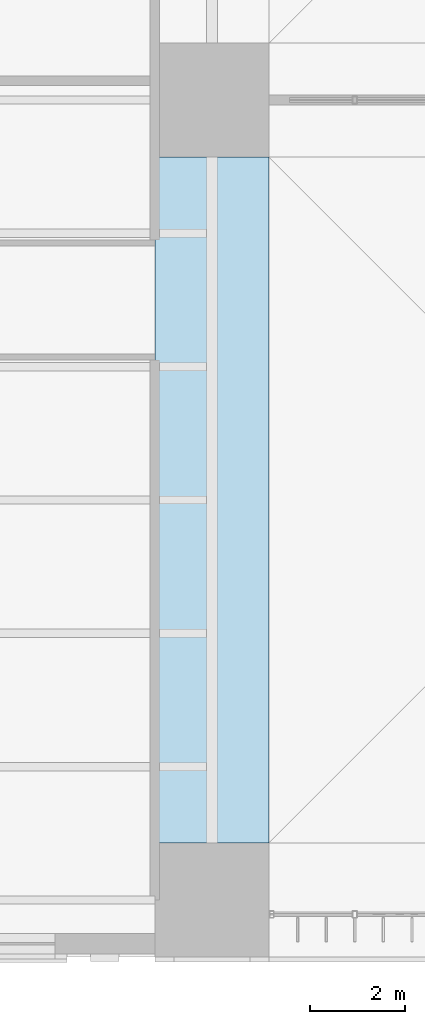
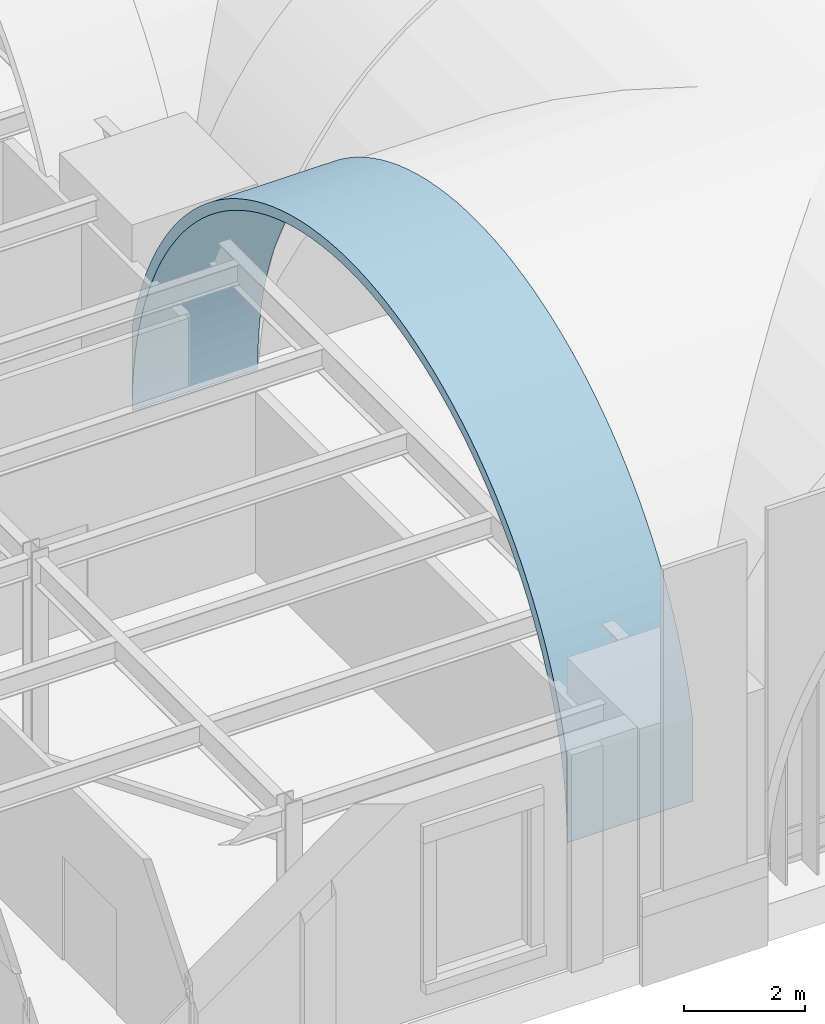
# One storey, part 110 of 169: 1 roof.
"""IFC4 building model written with IfcOpenShell, lengths in metres."""

from ifc_helpers import new_model, si_unit, direction, frame, origin, place, context, subcontext, project, spatial, polygons, material, layer, layer_set, type_object, element, save


model = new_model("IFC4")

# Units and contexts
model_context = context("Model", 3, precision=1e-05, world=origin(), true_north=direction((0.0, 1.0)))
body_context = subcontext(model_context, "Body", "Model", "MODEL_VIEW")
ifc_project = project(units=[si_unit("LENGTHUNIT", "METRE"), si_unit("AREAUNIT", "SQUARE_METRE"), si_unit("VOLUMEUNIT", "CUBIC_METRE"), si_unit("PLANEANGLEUNIT", "RADIAN"), si_unit("MASSUNIT", "GRAM", prefix="KILO")], contexts=[model_context])

# Site, building, storey
site_placement = place(None, origin())
site = spatial("IfcSite", under=ifc_project, at=site_placement, CompositionType="ELEMENT")
building_placement = place(site_placement, origin())
building = spatial("IfcBuilding", under=site, at=building_placement, Name="Verrick Yard Athletic Hall", CompositionType="ELEMENT")
storey_placement = place(building_placement, frame((0.0, 0.0, 4.39990234375)))
storey = spatial("IfcBuildingStorey", under=building, at=storey_placement, Name="L01", CompositionType="ELEMENT", Elevation=4.39990234375)

# Roof
ifc_material = material(Name="Concrete 35 MPa", Category="concrete")
ifc_layer = layer(ifc_material, 0.199951171875)
ifc_layer_set = layer_set([ifc_layer], Name="Arch rib 200")
roof_type = type_object("IfcRoofType", Name="Arch rib 200", PredefinedType="BARREL_ROOF", material=ifc_layer_set)
roof_placement = place(storey_placement, origin())
element("IfcRoof", 1, at=roof_placement, inside=storey, type_object=roof_type, Name="Vault rib X1-1", PredefinedType="BARREL_ROOF", context=body_context, shape_type="Tessellation", body=[
    polygons([(41.199951171875, 20.39990234375, 2.352294921875), (41.199951171875, 20.39990234375, 0.650146484375), (41.199951171875, 20.406982421875, 0.964111328125), (41.199951171875, 20.427490234375, 1.277587890625), (41.199951171875, 20.461669921875, 1.58984375), (41.199951171875, 20.509521484375, 1.900390625), (41.199951171875, 20.57080078125, 2.20849609375), (41.199951171875, 20.645263671875, 2.513671875), (41.199951171875, 20.733154296875, 2.815185546875), (41.199951171875, 20.834228515625, 3.112548828125), (41.199951171875, 20.947998046875, 3.405517578125), (41.199951171875, 21.07470703125, 3.693115234375), (41.199951171875, 21.21337890625, 3.974609375), (41.199951171875, 21.364501953125, 4.25), (41.199951171875, 21.527587890625, 4.518798828125), (41.199951171875, 21.7021484375, 4.77978515625), (41.199951171875, 21.887939453125, 5.033203125), (41.199951171875, 22.08447265625, 5.278076171875), (41.199951171875, 22.29150390625, 5.514404296875), (41.199951171875, 22.5087890625, 5.7412109375), (41.199951171875, 22.73583984375, 5.95849609375), (41.199951171875, 22.971923828125, 6.16552734375), (41.199951171875, 23.216796875, 6.3623046875), (41.199951171875, 23.47021484375, 6.548095703125), (41.199951171875, 23.7314453125, 6.722412109375), (41.199951171875, 24.0, 6.885498046875), (41.199951171875, 24.275390625, 7.03662109375), (41.199951171875, 24.55712890625, 7.175537109375), (41.199951171875, 24.8447265625, 7.302001953125), (41.199951171875, 25.137451171875, 7.416015625), (41.199951171875, 25.434814453125, 7.516845703125), (41.199951171875, 25.736572265625, 7.604736328125), (41.199951171875, 26.04150390625, 7.679443359375), (41.199951171875, 26.349609375, 7.74072265625), (41.199951171875, 26.66015625, 7.78857421875), (41.199951171875, 26.972412109375, 7.82275390625), (41.199951171875, 27.285888671875, 7.84326171875), (41.199951171875, 27.60009765625, 7.85009765625), (41.199951171875, 27.9140625, 7.84326171875), (41.199951171875, 28.2275390625, 7.82275390625), (41.199951171875, 28.539794921875, 7.78857421875), (41.199951171875, 28.850341796875, 7.74072265625), (41.199951171875, 29.158447265625, 7.679443359375), (41.199951171875, 29.46337890625, 7.604736328125), (41.199951171875, 29.76513671875, 7.516845703125), (41.199951171875, 30.0625, 7.416015625), (41.199951171875, 30.355224609375, 7.302001953125), (41.199951171875, 30.642822265625, 7.175537109375), (41.199951171875, 30.924560546875, 7.03662109375), (41.199951171875, 31.199951171875, 6.885498046875), (41.199951171875, 31.468505859375, 6.722412109375), (41.199951171875, 31.729736328125, 6.548095703125), (41.199951171875, 31.983154296875, 6.3623046875), (41.199951171875, 32.22802734375, 6.16552734375), (41.199951171875, 32.464111328125, 5.95849609375), (41.199951171875, 32.691162109375, 5.7412109375), (41.199951171875, 32.908447265625, 5.514404296875), (41.199951171875, 33.115478515625, 5.278076171875), (41.199951171875, 33.31201171875, 5.033203125), (41.199951171875, 33.497802734375, 4.77978515625), (41.199951171875, 33.67236328125, 4.518798828125), (41.199951171875, 33.83544921875, 4.25), (41.199951171875, 33.986572265625, 3.974609375), (41.199951171875, 34.12548828125, 3.693115234375), (41.199951171875, 34.251953125, 3.405517578125), (41.199951171875, 34.36572265625, 3.112548828125), (41.199951171875, 34.466796875, 2.815185546875), (41.199951171875, 34.5546875, 2.513671875), (41.199951171875, 34.62939453125, 2.20849609375), (41.199951171875, 34.690673828125, 1.900390625), (41.199951171875, 34.73828125, 1.58984375), (41.199951171875, 34.772705078125, 1.277587890625), (41.199951171875, 34.793212890625, 0.964111328125), (41.199951171875, 34.800048828125, 0.650146484375), (41.199951171875, 34.800048828125, 2.352294921875), (41.199951171875, 34.747802734375, 2.5654296875), (41.199951171875, 34.657470703125, 2.875244140625), (41.199951171875, 34.5537109375, 3.180908203125), (41.199951171875, 34.436767578125, 3.48193359375), (41.199951171875, 34.306640625, 3.777587890625), (41.199951171875, 34.163818359375, 4.06689453125), (41.199951171875, 34.008544921875, 4.35009765625), (41.199951171875, 33.841064453125, 4.6259765625), (41.199951171875, 33.66162109375, 4.89453125), (41.199951171875, 33.470703125, 5.15478515625), (41.199951171875, 33.268798828125, 5.40673828125), (41.199951171875, 33.055908203125, 5.6494140625), (41.199951171875, 32.83251953125, 5.8828125), (41.199951171875, 32.599365234375, 6.10595703125), (41.199951171875, 32.356689453125, 6.31884765625), (41.199951171875, 32.104736328125, 6.52099609375), (41.199951171875, 31.844482421875, 6.7119140625), (41.199951171875, 31.575927734375, 6.89111328125), (41.199951171875, 31.300048828125, 7.05859375), (41.199951171875, 31.016845703125, 7.214111328125), (41.199951171875, 30.727294921875, 7.356689453125), (41.199951171875, 30.431884765625, 7.48681640625), (41.199951171875, 30.130859375, 7.603759765625), (41.199951171875, 29.8251953125, 7.70751953125), (41.199951171875, 29.515380859375, 7.798095703125), (41.199951171875, 29.20166015625, 7.874755859375), (41.199951171875, 28.885009765625, 7.937744140625), (41.199951171875, 28.56591796875, 7.98681640625), (41.199951171875, 28.2451171875, 8.02197265625), (41.199951171875, 27.9228515625, 8.043212890625), (41.199951171875, 27.60009765625, 8.050048828125), (41.199951171875, 27.277099609375, 8.043212890625), (41.199951171875, 26.955078125, 8.02197265625), (41.199951171875, 26.634033203125, 7.98681640625), (41.199951171875, 26.31494140625, 7.937744140625), (41.199951171875, 25.998291015625, 7.874755859375), (41.199951171875, 25.684814453125, 7.798095703125), (41.199951171875, 25.374755859375, 7.70751953125), (41.199951171875, 25.069091796875, 7.603759765625), (41.199951171875, 24.76806640625, 7.48681640625), (41.199951171875, 24.47265625, 7.356689453125), (41.199951171875, 24.18310546875, 7.214111328125), (41.199951171875, 23.89990234375, 7.05859375), (41.199951171875, 23.6240234375, 6.89111328125), (41.199951171875, 23.35546875, 6.7119140625), (41.199951171875, 23.09521484375, 6.52099609375), (41.199951171875, 22.843505859375, 6.31884765625), (41.199951171875, 22.6005859375, 6.10595703125), (41.199951171875, 22.367431640625, 5.8828125), (41.199951171875, 22.14404296875, 5.6494140625), (41.199951171875, 21.931396484375, 5.40673828125), (41.199951171875, 21.729248046875, 5.15478515625), (41.199951171875, 21.538330078125, 4.89453125), (41.199951171875, 21.35888671875, 4.6259765625), (41.199951171875, 21.19140625, 4.35009765625), (41.199951171875, 21.0361328125, 4.06689453125), (41.199951171875, 20.893310546875, 3.777587890625), (41.199951171875, 20.76318359375, 3.48193359375), (41.199951171875, 20.646240234375, 3.180908203125), (41.199951171875, 20.54248046875, 2.875244140625), (41.199951171875, 20.4521484375, 2.5654296875), (38.800048828125, 20.39990234375, 2.352294921875), (38.800048828125, 20.39990234375, 0.650146484375), (38.800048828125, 20.406982421875, 0.964111328125), (38.800048828125, 20.427490234375, 1.277587890625), (38.800048828125, 20.461669921875, 1.58984375), (38.800048828125, 20.509521484375, 1.900390625), (38.800048828125, 20.57080078125, 2.20849609375), (38.800048828125, 20.645263671875, 2.513671875), (38.800048828125, 20.733154296875, 2.815185546875), (38.800048828125, 20.834228515625, 3.112548828125), (38.800048828125, 20.947998046875, 3.405517578125), (38.800048828125, 21.07470703125, 3.693115234375), (38.800048828125, 21.21337890625, 3.974609375), (38.800048828125, 21.364501953125, 4.25), (38.800048828125, 21.527587890625, 4.518798828125), (38.800048828125, 21.7021484375, 4.77978515625), (38.800048828125, 21.887939453125, 5.033203125), (38.800048828125, 22.08447265625, 5.278076171875), (38.800048828125, 22.29150390625, 5.514404296875), (38.800048828125, 22.5087890625, 5.7412109375), (38.800048828125, 22.73583984375, 5.95849609375), (38.800048828125, 22.971923828125, 6.16552734375), (38.800048828125, 23.216796875, 6.3623046875), (38.800048828125, 23.47021484375, 6.548095703125), (38.800048828125, 23.7314453125, 6.722412109375), (38.800048828125, 24.0, 6.885498046875), (38.800048828125, 24.275390625, 7.03662109375), (38.800048828125, 24.55712890625, 7.175537109375), (38.800048828125, 24.8447265625, 7.302001953125), (38.800048828125, 25.137451171875, 7.416015625), (38.800048828125, 25.434814453125, 7.516845703125), (38.800048828125, 25.736572265625, 7.604736328125), (38.800048828125, 26.04150390625, 7.679443359375), (38.800048828125, 26.349609375, 7.74072265625), (38.800048828125, 26.66015625, 7.78857421875), (38.800048828125, 26.972412109375, 7.82275390625), (38.800048828125, 27.285888671875, 7.84326171875), (38.800048828125, 27.60009765625, 7.85009765625), (38.800048828125, 27.9140625, 7.84326171875), (38.800048828125, 28.2275390625, 7.82275390625), (38.800048828125, 28.539794921875, 7.78857421875), (38.800048828125, 28.850341796875, 7.74072265625), (38.800048828125, 29.158447265625, 7.679443359375), (38.800048828125, 29.46337890625, 7.604736328125), (38.800048828125, 29.76513671875, 7.516845703125), (38.800048828125, 30.0625, 7.416015625), (38.800048828125, 30.355224609375, 7.302001953125), (38.800048828125, 30.642822265625, 7.175537109375), (38.800048828125, 30.924560546875, 7.03662109375), (38.800048828125, 31.199951171875, 6.885498046875), (38.800048828125, 31.468505859375, 6.722412109375), (38.800048828125, 31.729736328125, 6.548095703125), (38.800048828125, 31.983154296875, 6.3623046875), (38.800048828125, 32.22802734375, 6.16552734375), (38.800048828125, 32.464111328125, 5.95849609375), (38.800048828125, 32.691162109375, 5.7412109375), (38.800048828125, 32.908447265625, 5.514404296875), (38.800048828125, 33.115478515625, 5.278076171875), (38.800048828125, 33.31201171875, 5.033203125), (38.800048828125, 33.497802734375, 4.77978515625), (38.800048828125, 33.67236328125, 4.518798828125), (38.800048828125, 33.83544921875, 4.25), (38.800048828125, 33.986572265625, 3.974609375), (38.800048828125, 34.12548828125, 3.693115234375), (38.800048828125, 34.251953125, 3.405517578125), (38.800048828125, 34.36572265625, 3.112548828125), (38.800048828125, 34.466796875, 2.815185546875), (38.800048828125, 34.5546875, 2.513671875), (38.800048828125, 34.62939453125, 2.20849609375), (38.800048828125, 34.690673828125, 1.900390625), (38.800048828125, 34.73828125, 1.58984375), (38.800048828125, 34.772705078125, 1.277587890625), (38.800048828125, 34.793212890625, 0.964111328125), (38.800048828125, 34.800048828125, 0.650146484375), (38.800048828125, 34.800048828125, 2.352294921875), (38.800048828125, 34.747802734375, 2.5654296875), (38.800048828125, 34.657470703125, 2.875244140625), (38.800048828125, 34.5537109375, 3.180908203125), (38.800048828125, 34.436767578125, 3.48193359375), (38.800048828125, 34.306640625, 3.777587890625), (38.800048828125, 34.163818359375, 4.06689453125), (38.800048828125, 34.008544921875, 4.35009765625), (38.800048828125, 33.841064453125, 4.6259765625), (38.800048828125, 33.66162109375, 4.89453125), (38.800048828125, 33.470703125, 5.15478515625), (38.800048828125, 33.268798828125, 5.40673828125), (38.800048828125, 33.055908203125, 5.6494140625), (38.800048828125, 32.83251953125, 5.8828125), (38.800048828125, 32.599365234375, 6.10595703125), (38.800048828125, 32.356689453125, 6.31884765625), (38.800048828125, 32.104736328125, 6.52099609375), (38.800048828125, 31.844482421875, 6.7119140625), (38.800048828125, 31.575927734375, 6.89111328125), (38.800048828125, 31.300048828125, 7.05859375), (38.800048828125, 31.016845703125, 7.214111328125), (38.800048828125, 30.727294921875, 7.356689453125), (38.800048828125, 30.431884765625, 7.48681640625), (38.800048828125, 30.130859375, 7.603759765625), (38.800048828125, 29.8251953125, 7.70751953125), (38.800048828125, 29.515380859375, 7.798095703125), (38.800048828125, 29.20166015625, 7.874755859375), (38.800048828125, 28.885009765625, 7.937744140625), (38.800048828125, 28.56591796875, 7.98681640625), (38.800048828125, 28.2451171875, 8.02197265625), (38.800048828125, 27.9228515625, 8.043212890625), (38.800048828125, 27.60009765625, 8.050048828125), (38.800048828125, 27.277099609375, 8.043212890625), (38.800048828125, 26.955078125, 8.02197265625), (38.800048828125, 26.634033203125, 7.98681640625), (38.800048828125, 26.31494140625, 7.937744140625), (38.800048828125, 25.998291015625, 7.874755859375), (38.800048828125, 25.684814453125, 7.798095703125), (38.800048828125, 25.374755859375, 7.70751953125), (38.800048828125, 25.069091796875, 7.603759765625), (38.800048828125, 24.76806640625, 7.48681640625), (38.800048828125, 24.47265625, 7.356689453125), (38.800048828125, 24.18310546875, 7.214111328125), (38.800048828125, 23.89990234375, 7.05859375), (38.800048828125, 23.6240234375, 6.89111328125), (38.800048828125, 23.35546875, 6.7119140625), (38.800048828125, 23.09521484375, 6.52099609375), (38.800048828125, 22.843505859375, 6.31884765625), (38.800048828125, 22.6005859375, 6.10595703125), (38.800048828125, 22.367431640625, 5.8828125), (38.800048828125, 22.14404296875, 5.6494140625), (38.800048828125, 21.931396484375, 5.40673828125), (38.800048828125, 21.729248046875, 5.15478515625), (38.800048828125, 21.538330078125, 4.89453125), (38.800048828125, 21.35888671875, 4.6259765625), (38.800048828125, 21.19140625, 4.35009765625), (38.800048828125, 21.0361328125, 4.06689453125), (38.800048828125, 20.893310546875, 3.777587890625), (38.800048828125, 20.76318359375, 3.48193359375), (38.800048828125, 20.646240234375, 3.180908203125), (38.800048828125, 20.54248046875, 2.875244140625), (38.800048828125, 20.4521484375, 2.5654296875)], [[[1, 2, 3]], [[137, 139, 138]], [[136, 1, 3]], [[272, 139, 137]], [[136, 3, 4]], [[272, 140, 139]], [[136, 4, 5]], [[272, 141, 140]], [[136, 5, 6]], [[272, 142, 141]], [[136, 6, 7]], [[272, 143, 142]], [[136, 7, 8]], [[272, 144, 143]], [[136, 8, 9]], [[272, 145, 144]], [[136, 9, 10]], [[272, 146, 145]], [[136, 10, 11]], [[272, 147, 146]], [[136, 11, 12]], [[272, 148, 147]], [[136, 12, 13]], [[272, 149, 148]], [[73, 74, 75]], [[209, 211, 210]], [[72, 73, 75]], [[208, 211, 209]], [[71, 72, 75]], [[207, 211, 208]], [[70, 71, 75]], [[206, 211, 207]], [[69, 70, 75]], [[205, 211, 206]], [[68, 69, 75]], [[204, 211, 205]], [[67, 68, 75]], [[203, 211, 204]], [[66, 67, 75]], [[202, 211, 203]], [[65, 66, 75]], [[201, 211, 202]], [[64, 65, 75]], [[200, 211, 201]], [[63, 64, 75]], [[199, 211, 200]], [[63, 75, 76]], [[199, 212, 211]], [[63, 76, 77]], [[199, 213, 212]], [[62, 63, 77]], [[198, 213, 199]], [[62, 77, 78]], [[198, 214, 213]], [[61, 62, 78]], [[197, 214, 198]], [[61, 78, 79]], [[197, 215, 214]], [[60, 61, 79]], [[196, 215, 197]], [[60, 79, 80]], [[196, 216, 215]], [[59, 60, 80]], [[195, 216, 196]], [[59, 80, 81]], [[195, 217, 216]], [[58, 59, 81]], [[194, 217, 195]], [[58, 81, 82]], [[194, 218, 217]], [[57, 58, 82]], [[193, 218, 194]], [[57, 82, 83]], [[193, 219, 218]], [[56, 57, 83]], [[192, 219, 193]], [[56, 83, 84]], [[192, 220, 219]], [[55, 56, 84]], [[191, 220, 192]], [[55, 84, 85]], [[191, 221, 220]], [[54, 55, 85]], [[190, 221, 191]], [[54, 85, 86]], [[190, 222, 221]], [[53, 54, 86]], [[189, 222, 190]], [[53, 86, 87]], [[189, 223, 222]], [[52, 53, 87]], [[188, 223, 189]], [[52, 87, 88]], [[188, 224, 223]], [[51, 52, 88]], [[187, 224, 188]], [[51, 88, 89]], [[187, 225, 224]], [[50, 51, 89]], [[186, 225, 187]], [[50, 89, 90]], [[186, 226, 225]], [[49, 50, 90]], [[185, 226, 186]], [[49, 90, 91]], [[185, 227, 226]], [[48, 49, 91]], [[184, 227, 185]], [[48, 91, 92]], [[184, 228, 227]], [[47, 48, 92]], [[183, 228, 184]], [[47, 92, 93]], [[183, 229, 228]], [[46, 47, 93]], [[182, 229, 183]], [[46, 93, 94]], [[182, 230, 229]], [[45, 46, 94]], [[181, 230, 182]], [[45, 94, 95]], [[181, 231, 230]], [[44, 45, 95]], [[180, 231, 181]], [[44, 95, 96]], [[180, 232, 231]], [[43, 44, 96]], [[179, 232, 180]], [[43, 96, 97]], [[179, 233, 232]], [[42, 43, 97]], [[178, 233, 179]], [[42, 97, 98]], [[178, 234, 233]], [[41, 42, 98]], [[177, 234, 178]], [[41, 98, 99]], [[177, 235, 234]], [[40, 41, 99]], [[176, 235, 177]], [[40, 99, 100]], [[176, 236, 235]], [[39, 40, 100]], [[175, 236, 176]], [[39, 100, 101]], [[175, 237, 236]], [[38, 39, 101]], [[174, 237, 175]], [[38, 101, 102]], [[174, 238, 237]], [[37, 38, 102]], [[173, 238, 174]], [[37, 102, 103]], [[173, 239, 238]], [[36, 37, 103]], [[172, 239, 173]], [[36, 103, 104]], [[172, 240, 239]], [[35, 36, 104]], [[171, 240, 172]], [[35, 104, 105]], [[171, 241, 240]], [[34, 35, 105]], [[170, 241, 171]], [[34, 105, 106]], [[170, 242, 241]], [[33, 34, 106]], [[169, 242, 170]], [[33, 106, 107]], [[169, 243, 242]], [[32, 33, 107]], [[168, 243, 169]], [[32, 107, 108]], [[168, 244, 243]], [[31, 32, 108]], [[167, 244, 168]], [[31, 108, 109]], [[167, 245, 244]], [[30, 31, 109]], [[166, 245, 167]], [[30, 109, 110]], [[166, 246, 245]], [[29, 30, 110]], [[165, 246, 166]], [[29, 110, 111]], [[165, 247, 246]], [[28, 29, 111]], [[164, 247, 165]], [[28, 111, 112]], [[164, 248, 247]], [[27, 28, 112]], [[163, 248, 164]], [[27, 112, 113]], [[163, 249, 248]], [[26, 27, 113]], [[162, 249, 163]], [[26, 113, 114]], [[162, 250, 249]], [[25, 26, 114]], [[161, 250, 162]], [[25, 114, 115]], [[161, 251, 250]], [[24, 25, 115]], [[160, 251, 161]], [[24, 115, 116]], [[160, 252, 251]], [[23, 24, 116]], [[159, 252, 160]], [[23, 116, 117]], [[159, 253, 252]], [[22, 23, 117]], [[158, 253, 159]], [[22, 117, 118]], [[158, 254, 253]], [[21, 22, 118]], [[157, 254, 158]], [[21, 118, 119]], [[157, 255, 254]], [[20, 21, 119]], [[156, 255, 157]], [[20, 119, 120]], [[156, 256, 255]], [[19, 20, 120]], [[155, 256, 156]], [[19, 120, 121]], [[155, 257, 256]], [[18, 19, 121]], [[154, 257, 155]], [[18, 121, 122]], [[154, 258, 257]], [[17, 18, 122]], [[153, 258, 154]], [[17, 122, 123]], [[153, 259, 258]], [[16, 17, 123]], [[152, 259, 153]], [[16, 123, 124]], [[152, 260, 259]], [[15, 16, 124]], [[151, 260, 152]], [[15, 124, 125]], [[151, 261, 260]], [[14, 15, 125]], [[150, 261, 151]], [[14, 125, 126]], [[150, 262, 261]], [[13, 14, 126]], [[149, 262, 150]], [[136, 13, 126]], [[272, 262, 149]], [[136, 126, 127]], [[272, 263, 262]], [[136, 127, 128]], [[272, 264, 263]], [[136, 128, 129]], [[272, 265, 264]], [[136, 129, 130]], [[272, 266, 265]], [[136, 130, 131]], [[272, 267, 266]], [[136, 131, 132]], [[272, 268, 267]], [[136, 132, 133]], [[272, 269, 268]], [[136, 133, 134]], [[272, 270, 269]], [[134, 135, 136]], [[270, 272, 271]], [[1, 138, 2]], [[1, 137, 138]], [[2, 139, 3]], [[2, 138, 139]], [[3, 140, 4]], [[3, 139, 140]], [[4, 141, 5]], [[4, 140, 141]], [[5, 142, 6]], [[5, 141, 142]], [[6, 143, 7]], [[6, 142, 143]], [[7, 144, 8]], [[7, 143, 144]], [[8, 145, 9]], [[8, 144, 145]], [[9, 146, 10]], [[9, 145, 146]], [[10, 147, 11]], [[10, 146, 147]], [[11, 148, 12]], [[11, 147, 148]], [[12, 149, 13]], [[12, 148, 149]], [[13, 150, 14]], [[13, 149, 150]], [[14, 151, 15]], [[14, 150, 151]], [[15, 152, 16]], [[15, 151, 152]], [[16, 153, 17]], [[16, 152, 153]], [[17, 154, 18]], [[17, 153, 154]], [[18, 155, 19]], [[18, 154, 155]], [[19, 156, 20]], [[19, 155, 156]], [[20, 157, 21]], [[20, 156, 157]], [[21, 158, 22]], [[21, 157, 158]], [[22, 159, 23]], [[22, 158, 159]], [[23, 160, 24]], [[23, 159, 160]], [[24, 161, 25]], [[24, 160, 161]], [[25, 162, 26]], [[25, 161, 162]], [[26, 163, 27]], [[26, 162, 163]], [[27, 164, 28]], [[27, 163, 164]], [[28, 165, 29]], [[28, 164, 165]], [[29, 166, 30]], [[29, 165, 166]], [[30, 167, 31]], [[30, 166, 167]], [[31, 168, 32]], [[31, 167, 168]], [[32, 169, 33]], [[32, 168, 169]], [[33, 170, 34]], [[33, 169, 170]], [[34, 171, 35]], [[34, 170, 171]], [[35, 172, 36]], [[35, 171, 172]], [[36, 173, 37]], [[36, 172, 173]], [[37, 174, 38]], [[37, 173, 174]], [[38, 175, 39]], [[38, 174, 175]], [[39, 176, 40]], [[39, 175, 176]], [[40, 177, 41]], [[40, 176, 177]], [[41, 178, 42]], [[41, 177, 178]], [[42, 179, 43]], [[42, 178, 179]], [[43, 180, 44]], [[43, 179, 180]], [[44, 181, 45]], [[44, 180, 181]], [[45, 182, 46]], [[45, 181, 182]], [[46, 183, 47]], [[46, 182, 183]], [[47, 184, 48]], [[47, 183, 184]], [[48, 185, 49]], [[48, 184, 185]], [[49, 186, 50]], [[49, 185, 186]], [[50, 187, 51]], [[50, 186, 187]], [[51, 188, 52]], [[51, 187, 188]], [[52, 189, 53]], [[52, 188, 189]], [[53, 190, 54]], [[53, 189, 190]], [[54, 191, 55]], [[54, 190, 191]], [[55, 192, 56]], [[55, 191, 192]], [[56, 193, 57]], [[56, 192, 193]], [[57, 194, 58]], [[57, 193, 194]], [[58, 195, 59]], [[58, 194, 195]], [[59, 196, 60]], [[59, 195, 196]], [[60, 197, 61]], [[60, 196, 197]], [[61, 198, 62]], [[61, 197, 198]], [[62, 199, 63]], [[62, 198, 199]], [[63, 200, 64]], [[63, 199, 200]], [[64, 201, 65]], [[64, 200, 201]], [[65, 202, 66]], [[65, 201, 202]], [[66, 203, 67]], [[66, 202, 203]], [[67, 204, 68]], [[67, 203, 204]], [[68, 205, 69]], [[68, 204, 205]], [[69, 206, 70]], [[69, 205, 206]], [[70, 207, 71]], [[70, 206, 207]], [[71, 208, 72]], [[71, 207, 208]], [[72, 209, 73]], [[72, 208, 209]], [[73, 210, 74]], [[73, 209, 210]], [[74, 211, 75]], [[74, 210, 211]], [[75, 212, 76]], [[75, 211, 212]], [[76, 213, 77]], [[76, 212, 213]], [[77, 214, 78]], [[77, 213, 214]], [[78, 215, 79]], [[78, 214, 215]], [[79, 216, 80]], [[79, 215, 216]], [[80, 217, 81]], [[80, 216, 217]], [[81, 218, 82]], [[81, 217, 218]], [[82, 219, 83]], [[82, 218, 219]], [[83, 220, 84]], [[83, 219, 220]], [[84, 221, 85]], [[84, 220, 221]], [[85, 222, 86]], [[85, 221, 222]], [[86, 223, 87]], [[86, 222, 223]], [[87, 224, 88]], [[87, 223, 224]], [[88, 225, 89]], [[88, 224, 225]], [[89, 226, 90]], [[89, 225, 226]], [[90, 227, 91]], [[90, 226, 227]], [[91, 228, 92]], [[91, 227, 228]], [[92, 229, 93]], [[92, 228, 229]], [[93, 230, 94]], [[93, 229, 230]], [[94, 231, 95]], [[94, 230, 231]], [[95, 232, 96]], [[95, 231, 232]], [[96, 233, 97]], [[96, 232, 233]], [[97, 234, 98]], [[97, 233, 234]], [[98, 235, 99]], [[98, 234, 235]], [[99, 236, 100]], [[99, 235, 236]], [[100, 237, 101]], [[100, 236, 237]], [[101, 238, 102]], [[101, 237, 238]], [[102, 239, 103]], [[102, 238, 239]], [[103, 240, 104]], [[103, 239, 240]], [[104, 241, 105]], [[104, 240, 241]], [[105, 242, 106]], [[105, 241, 242]], [[106, 243, 107]], [[106, 242, 243]], [[107, 244, 108]], [[107, 243, 244]], [[108, 245, 109]], [[108, 244, 245]], [[109, 246, 110]], [[109, 245, 246]], [[110, 247, 111]], [[110, 246, 247]], [[111, 248, 112]], [[111, 247, 248]], [[112, 249, 113]], [[112, 248, 249]], [[113, 250, 114]], [[113, 249, 250]], [[114, 251, 115]], [[114, 250, 251]], [[115, 252, 116]], [[115, 251, 252]], [[116, 253, 117]], [[116, 252, 253]], [[117, 254, 118]], [[117, 253, 254]], [[118, 255, 119]], [[118, 254, 255]], [[119, 256, 120]], [[119, 255, 256]], [[120, 257, 121]], [[120, 256, 257]], [[121, 258, 122]], [[121, 257, 258]], [[122, 259, 123]], [[122, 258, 259]], [[123, 260, 124]], [[123, 259, 260]], [[124, 261, 125]], [[124, 260, 261]], [[125, 262, 126]], [[125, 261, 262]], [[126, 263, 127]], [[126, 262, 263]], [[127, 264, 128]], [[127, 263, 264]], [[128, 265, 129]], [[128, 264, 265]], [[129, 266, 130]], [[129, 265, 266]], [[130, 267, 131]], [[130, 266, 267]], [[131, 268, 132]], [[131, 267, 268]], [[132, 269, 133]], [[132, 268, 269]], [[133, 270, 134]], [[133, 269, 270]], [[134, 271, 135]], [[134, 270, 271]], [[135, 272, 136]], [[135, 271, 272]], [[136, 137, 1]], [[136, 272, 137]]], closed=True),
])

save(model, "model.ifc")
